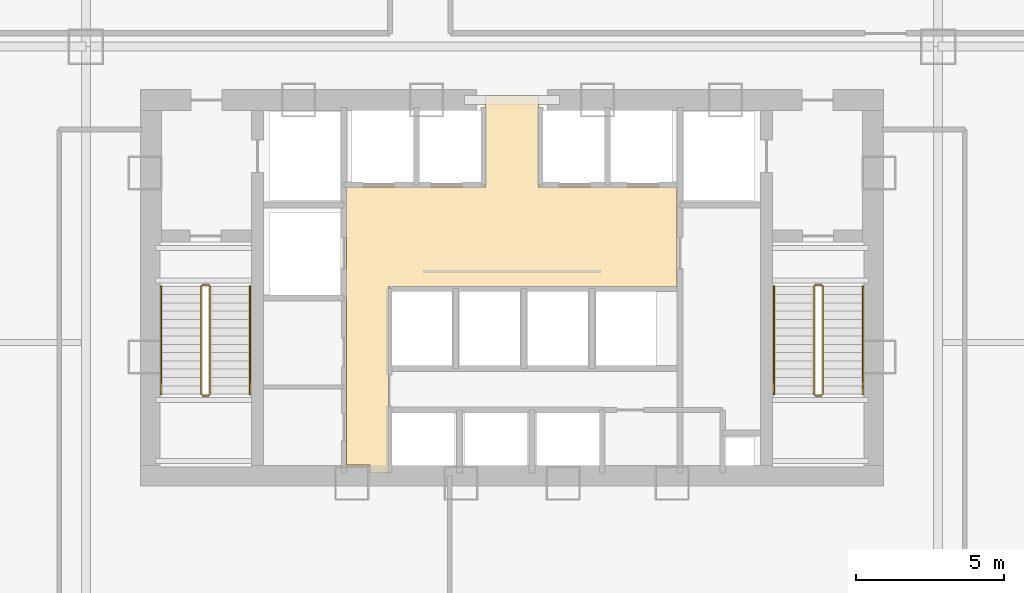
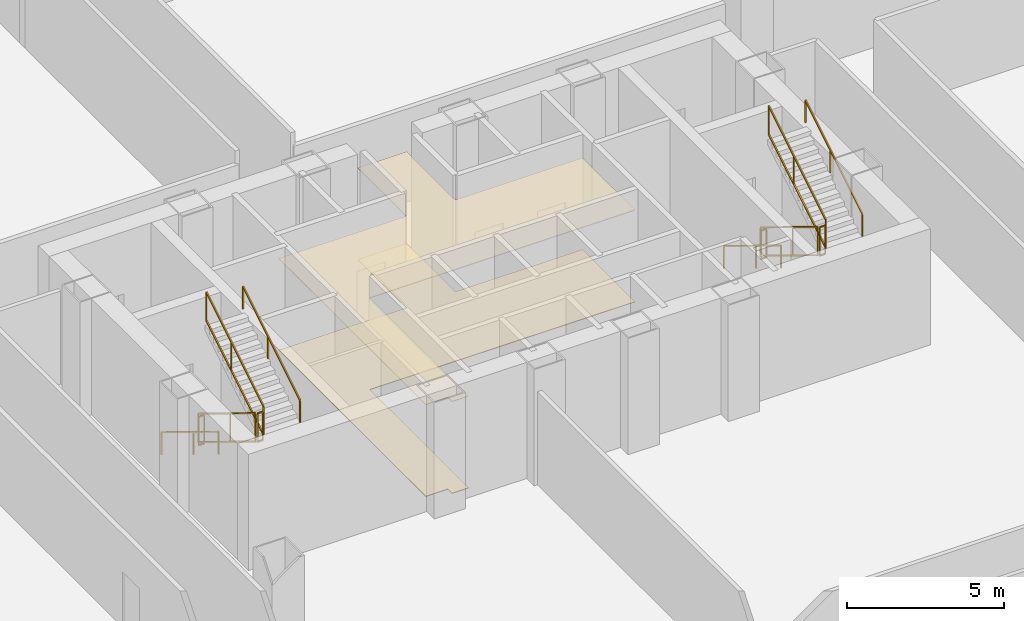
# One storey, part 24 of 27: 12 railings, 2 coverings.
"""IFC4 building model written with IfcOpenShell, lengths in metres."""

from ifc_helpers import new_model, si_unit, direction, frame, origin, origin_2d, place, context, subcontext, project, spatial, polyline, rectangle, outline, extrude, material, layer, layer_set, type_object, element, save


model = new_model("IFC4")

# Units and contexts
model_context = context("Model", 3, precision=1e-05, world=origin(), true_north=direction((0.0, 1.0)))
body_context = subcontext(model_context, "Body", "Model", "MODEL_VIEW")
ifc_project = project(units=[si_unit("LENGTHUNIT", "METRE"), si_unit("AREAUNIT", "SQUARE_METRE"), si_unit("VOLUMEUNIT", "CUBIC_METRE"), si_unit("PLANEANGLEUNIT", "RADIAN"), si_unit("MASSUNIT", "GRAM", prefix="KILO"), si_unit("THERMODYNAMICTEMPERATUREUNIT", "KELVIN"), si_unit("POWERUNIT", "WATT")], contexts=[model_context])

# Site, building, storey
site_placement = place(None, origin())
site = spatial("IfcSite", under=ifc_project, at=site_placement, CompositionType="ELEMENT")
building_placement = place(site_placement, origin())
building = spatial("IfcBuilding", under=site, at=building_placement, Name="Yunzhuo Pagoda Commons", CompositionType="ELEMENT")
storey_placement = place(building_placement, frame((0.0, 0.0, 9.60009765625)))
storey = spatial("IfcBuildingStorey", under=building, at=storey_placement, Name="L03", CompositionType="ELEMENT", Elevation=9.60009765625)

# Coverings
ifc_material_1 = material(Name="Mineral fibre acoustic ceiling board")
ifc_layer_1 = layer(ifc_material_1, 0.02490234375)
ifc_layer_set_1 = layer_set([ifc_layer_1], Name="Mineral fibre acoustic ceiling board")
covering_type_1 = type_object("IfcCoveringType", Name="COV-CL1 Ceiling 25", PredefinedType="CEILING", material=ifc_layer_set_1)
covering_1_placement = place(storey_placement, frame((0.0, 0.0, 3.56982421875)))
element("IfcCovering", 1, at=covering_1_placement, inside=storey, type_object=covering_type_1, Name="L03 lift lobby acoustic ceiling", PredefinedType="CEILING", context=body_context, shape_type="SweptSolid", body=[
    extrude(outline(polyline([(43.207763671875, 27.85009765625), (43.201904296875, 27.864013671875), (43.187744140625, 27.8701171875), (42.39990234375, 27.8701171875), (42.39990234375, 33.89990234375), (42.39990234375, 37.25), (47.10009765625, 37.25), (47.10009765625, 40.35009765625), (48.89990234375, 40.35009765625), (48.89990234375, 37.25), (53.580078125, 37.25), (53.580078125, 33.89990234375), (43.820068359375, 33.89990234375), (43.820068359375, 27.60009765625), (43.207763671875, 27.60009765625), (43.207763671875, 27.85009765625)])), origin(), (0.0, 0.0, 1.0), 0.025146484375),
])
ifc_material_2 = material(Name="Terrazzo stone lobby flooring", Category="masonry")
ifc_layer_2 = layer(ifc_material_2, 0.02392578125)
ifc_layer_set_2 = layer_set([ifc_layer_2], Name="Terrazzo stone lobby flooring")
covering_type_2 = type_object("IfcCoveringType", Name="COV-FL2 Flooring 24", PredefinedType="FLOORING", material=ifc_layer_set_2)
covering_2_placement = place(storey_placement, origin())
element("IfcCovering", 2, at=covering_2_placement, inside=storey, type_object=covering_type_2, Name="L03 lift lobby flooring", PredefinedType="FLOORING", context=body_context, shape_type="SweptSolid", body=[
    extrude(outline(polyline([(43.207763671875, 27.85009765625), (43.201904296875, 27.864013671875), (43.187744140625, 27.8701171875), (42.39990234375, 27.8701171875), (42.39990234375, 33.89990234375), (42.39990234375, 37.25), (47.10009765625, 37.25), (47.10009765625, 40.35009765625), (48.89990234375, 40.35009765625), (48.89990234375, 37.25), (53.580078125, 37.25), (53.580078125, 33.89990234375), (43.820068359375, 33.89990234375), (43.820068359375, 27.60009765625), (43.207763671875, 27.60009765625), (43.207763671875, 27.85009765625)])), origin(), (0.0, 0.0, 1.0), 0.02392578125),
])

# Railings
ifc_material_3 = material(Name="Anodized aluminium 6063-T6", Category="aluminium")
railing_type_1 = type_object("IfcRailingType", Name="GR-ST1 Stair Well Guardrail 1150", PredefinedType="GUARDRAIL", material=ifc_material_3)
railing_1_placement = place(storey_placement, frame((37.5, 33.89990234375, 0.17138671875)))
element("IfcRailing", 3, at=railing_1_placement, inside=storey, type_object=railing_type_1, Name="L03 ST1 stair guard 1", PredefinedType="GUARDRAIL", context=body_context, shape_type="SweptSolid", body=[
    extrude(rectangle(XDim=0.048095703125, YDim=0.048095703125, at=origin_2d()), frame((0.0, 0.0, 1.1259765625), z_axis=(0.0, -0.852850264322, 0.5221555579), x_axis=(1.0, 0.0, 0.0)), (0.0, 0.0, 1.0), 4.267822265625),
    extrude(rectangle(XDim=0.048095703125, YDim=0.048095703125, at=origin_2d()), frame((0.0, 0.0, 0.02392578125), z_axis=(0.0, -0.852850264322, 0.5221555579), x_axis=(1.0, 0.0, 0.0)), (0.0, 0.0, 1.0), 4.267822265625),
    extrude(rectangle(XDim=0.0419921875, YDim=0.0419921875, at=origin_2d()), origin(), (0.0, 0.0, 1.0), 1.101806640625),
    extrude(rectangle(XDim=0.0419921875, YDim=0.0419921875, at=origin_2d()), frame((0.0, -2.046875, 1.253173828125)), (0.0, 0.0, 1.0), 1.101806640625),
    extrude(rectangle(XDim=0.0419921875, YDim=0.0419921875, at=origin_2d()), frame((0.0, -3.639892578125, 2.228515625)), (0.0, 0.0, 1.0), 1.101806640625),
])
railing_2_placement = place(storey_placement, frame((37.550048828125, 30.2099609375, 2.39990234375)))
element("IfcRailing", 4, at=railing_2_placement, inside=storey, type_object=railing_type_1, Name="L03 ST1 stair guard 2", PredefinedType="GUARDRAIL", context=body_context, shape_type="SweptSolid", body=[
    extrude(rectangle(XDim=0.048095703125, YDim=0.048095703125, at=origin_2d()), frame((0.0, 0.0, 1.1259765625), z_axis=(1.0, 0.0, 0.0), x_axis=(0.0, 1.0, 0.0)), (0.0, 0.0, 1.0), 0.199951171875),
    extrude(rectangle(XDim=0.048095703125, YDim=0.048095703125, at=origin_2d()), frame((0.0, 0.0, 0.02392578125), z_axis=(1.0, 0.0, 0.0), x_axis=(0.0, 1.0, 0.0)), (0.0, 0.0, 1.0), 0.199951171875),
    extrude(rectangle(XDim=0.0419921875, YDim=0.0419921875, at=origin_2d()), origin(), (0.0, 0.0, 1.0), 1.101806640625),
    extrude(rectangle(XDim=0.0419921875, YDim=0.0419921875, at=origin_2d()), frame((0.199951171875, 0.0, 0.0)), (0.0, 0.0, 1.0), 1.101806640625),
])
railing_3_placement = place(storey_placement, frame((37.800048828125, 30.260009765625, 2.5712890625)))
element("IfcRailing", 5, at=railing_3_placement, inside=storey, type_object=railing_type_1, Name="L03 ST1 stair guard 3", PredefinedType="GUARDRAIL", context=body_context, shape_type="SweptSolid", body=[
    extrude(rectangle(XDim=0.048095703125, YDim=0.048095703125, at=origin_2d()), frame((0.0, 0.0, 1.1259765625), z_axis=(0.0, 0.852850264322, 0.5221555579), x_axis=(-1.0, 0.0, 0.0)), (0.0, 0.0, 1.0), 4.267822265625),
    extrude(rectangle(XDim=0.048095703125, YDim=0.048095703125, at=origin_2d()), frame((0.0, 0.0, 0.02392578125), z_axis=(0.0, 0.852850264322, 0.5221555579), x_axis=(-1.0, 0.0, 0.0)), (0.0, 0.0, 1.0), 4.267822265625),
    extrude(rectangle(XDim=0.0419921875, YDim=0.0419921875, at=origin_2d()), origin(), (0.0, 0.0, 1.0), 1.101806640625),
    extrude(rectangle(XDim=0.0419921875, YDim=0.0419921875, at=origin_2d()), frame((0.0, 2.046875, 1.253173828125)), (0.0, 0.0, 1.0), 1.101806640625),
    extrude(rectangle(XDim=0.0419921875, YDim=0.0419921875, at=origin_2d()), frame((0.0, 3.639892578125, 2.228515625)), (0.0, 0.0, 1.0), 1.101806640625),
])
railing_4_placement = place(storey_placement, frame((37.550048828125, 33.949951171875, 0.0)))
element("IfcRailing", 6, at=railing_4_placement, inside=storey, type_object=railing_type_1, Name="L03 ST1 stair guard 4", PredefinedType="GUARDRAIL", context=body_context, shape_type="SweptSolid", body=[
    extrude(rectangle(XDim=0.048095703125, YDim=0.048095703125, at=origin_2d()), frame((0.0, 0.0, 1.1259765625), z_axis=(1.0, 0.0, 0.0), x_axis=(0.0, 1.0, 0.0)), (0.0, 0.0, 1.0), 0.199951171875),
    extrude(rectangle(XDim=0.048095703125, YDim=0.048095703125, at=origin_2d()), frame((0.0, 0.0, 0.02392578125), z_axis=(1.0, 0.0, 0.0), x_axis=(0.0, 1.0, 0.0)), (0.0, 0.0, 1.0), 0.199951171875),
    extrude(rectangle(XDim=0.0419921875, YDim=0.0419921875, at=origin_2d()), origin(), (0.0, 0.0, 1.0), 1.101806640625),
    extrude(rectangle(XDim=0.0419921875, YDim=0.0419921875, at=origin_2d()), frame((0.199951171875, 0.0, 0.0)), (0.0, 0.0, 1.0), 1.101806640625),
])
railing_type_2 = type_object("IfcRailingType", Name="GR-ST2 Stair Well Guardrail 1160", PredefinedType="GUARDRAIL", material=ifc_material_3)
railing_5_placement = place(storey_placement, frame((58.199951171875, 33.89990234375, 0.17138671875)))
element("IfcRailing", 7, at=railing_5_placement, inside=storey, type_object=railing_type_2, Name="L03 ST2 stair guard 1", PredefinedType="GUARDRAIL", context=body_context, shape_type="SweptSolid", body=[
    extrude(rectangle(XDim=0.048095703125, YDim=0.048095703125, at=origin_2d()), frame((0.0, 0.0, 1.1259765625), z_axis=(0.0, -0.852850264322, 0.5221555579), x_axis=(1.0, 0.0, 0.0)), (0.0, 0.0, 1.0), 4.267822265625),
    extrude(rectangle(XDim=0.048095703125, YDim=0.048095703125, at=origin_2d()), frame((0.0, 0.0, 0.02392578125), z_axis=(0.0, -0.852850264322, 0.5221555579), x_axis=(1.0, 0.0, 0.0)), (0.0, 0.0, 1.0), 4.267822265625),
    extrude(rectangle(XDim=0.0419921875, YDim=0.0419921875, at=origin_2d()), origin(), (0.0, 0.0, 1.0), 1.101806640625),
    extrude(rectangle(XDim=0.0419921875, YDim=0.0419921875, at=origin_2d()), frame((0.0, -2.046875, 1.253173828125)), (0.0, 0.0, 1.0), 1.101806640625),
    extrude(rectangle(XDim=0.0419921875, YDim=0.0419921875, at=origin_2d()), frame((0.0, -3.639892578125, 2.228515625)), (0.0, 0.0, 1.0), 1.101806640625),
])
railing_6_placement = place(storey_placement, frame((58.25, 30.2099609375, 2.39990234375)))
element("IfcRailing", 8, at=railing_6_placement, inside=storey, type_object=railing_type_2, Name="L03 ST2 stair guard 2", PredefinedType="GUARDRAIL", context=body_context, shape_type="SweptSolid", body=[
    extrude(rectangle(XDim=0.048095703125, YDim=0.048095703125, at=origin_2d()), frame((0.0, 0.0, 1.1259765625), z_axis=(1.0, 0.0, 0.0), x_axis=(0.0, 1.0, 0.0)), (0.0, 0.0, 1.0), 0.199951171875),
    extrude(rectangle(XDim=0.048095703125, YDim=0.048095703125, at=origin_2d()), frame((0.0, 0.0, 0.02392578125), z_axis=(1.0, 0.0, 0.0), x_axis=(0.0, 1.0, 0.0)), (0.0, 0.0, 1.0), 0.199951171875),
    extrude(rectangle(XDim=0.0419921875, YDim=0.0419921875, at=origin_2d()), origin(), (0.0, 0.0, 1.0), 1.101806640625),
    extrude(rectangle(XDim=0.0419921875, YDim=0.0419921875, at=origin_2d()), frame((0.199951171875, 0.0, 0.0)), (0.0, 0.0, 1.0), 1.101806640625),
])
railing_7_placement = place(storey_placement, frame((58.5, 30.260009765625, 2.5712890625)))
element("IfcRailing", 9, at=railing_7_placement, inside=storey, type_object=railing_type_2, Name="L03 ST2 stair guard 3", PredefinedType="GUARDRAIL", context=body_context, shape_type="SweptSolid", body=[
    extrude(rectangle(XDim=0.048095703125, YDim=0.048095703125, at=origin_2d()), frame((0.0, 0.0, 1.1259765625), z_axis=(0.0, 0.852850264322, 0.5221555579), x_axis=(-1.0, 0.0, 0.0)), (0.0, 0.0, 1.0), 4.267822265625),
    extrude(rectangle(XDim=0.048095703125, YDim=0.048095703125, at=origin_2d()), frame((0.0, 0.0, 0.02392578125), z_axis=(0.0, 0.852850264322, 0.5221555579), x_axis=(-1.0, 0.0, 0.0)), (0.0, 0.0, 1.0), 4.267822265625),
    extrude(rectangle(XDim=0.0419921875, YDim=0.0419921875, at=origin_2d()), origin(), (0.0, 0.0, 1.0), 1.101806640625),
    extrude(rectangle(XDim=0.0419921875, YDim=0.0419921875, at=origin_2d()), frame((0.0, 2.046875, 1.253173828125)), (0.0, 0.0, 1.0), 1.101806640625),
    extrude(rectangle(XDim=0.0419921875, YDim=0.0419921875, at=origin_2d()), frame((0.0, 3.639892578125, 2.228515625)), (0.0, 0.0, 1.0), 1.101806640625),
])
railing_8_placement = place(storey_placement, frame((58.25, 33.949951171875, 0.0)))
element("IfcRailing", 10, at=railing_8_placement, inside=storey, type_object=railing_type_2, Name="L03 ST2 stair guard 4", PredefinedType="GUARDRAIL", context=body_context, shape_type="SweptSolid", body=[
    extrude(rectangle(XDim=0.048095703125, YDim=0.048095703125, at=origin_2d()), frame((0.0, 0.0, 1.1259765625), z_axis=(1.0, 0.0, 0.0), x_axis=(0.0, 1.0, 0.0)), (0.0, 0.0, 1.0), 0.199951171875),
    extrude(rectangle(XDim=0.048095703125, YDim=0.048095703125, at=origin_2d()), frame((0.0, 0.0, 0.02392578125), z_axis=(1.0, 0.0, 0.0), x_axis=(0.0, 1.0, 0.0)), (0.0, 0.0, 1.0), 0.199951171875),
    extrude(rectangle(XDim=0.0419921875, YDim=0.0419921875, at=origin_2d()), origin(), (0.0, 0.0, 1.0), 1.101806640625),
    extrude(rectangle(XDim=0.0419921875, YDim=0.0419921875, at=origin_2d()), frame((0.199951171875, 0.0, 0.0)), (0.0, 0.0, 1.0), 1.101806640625),
])
railing_type_3 = type_object("IfcRailingType", Name="HR-ST1 Stair Handrail 900", PredefinedType="HANDRAIL", material=ifc_material_3)
railing_9_placement = place(storey_placement, frame((36.14990234375, 33.89990234375, 0.17138671875)))
element("IfcRailing", 11, at=railing_9_placement, inside=storey, type_object=railing_type_3, Name="L03 ST1 stair handrail 1", PredefinedType="HANDRAIL", context=body_context, shape_type="SweptSolid", body=[
    extrude(rectangle(XDim=0.048095703125, YDim=0.048095703125, at=origin_2d()), frame((0.0, 0.0, 0.8759765625), z_axis=(0.0, -0.852850264322, 0.5221555579), x_axis=(1.0, 0.0, 0.0)), (0.0, 0.0, 1.0), 4.267822265625),
    extrude(rectangle(XDim=0.0419921875, YDim=0.0419921875, at=origin_2d()), origin(), (0.0, 0.0, 1.0), 0.851806640625),
    extrude(rectangle(XDim=0.0419921875, YDim=0.0419921875, at=origin_2d()), frame((0.0, -2.046875, 1.253173828125)), (0.0, 0.0, 1.0), 0.851806640625),
    extrude(rectangle(XDim=0.0419921875, YDim=0.0419921875, at=origin_2d()), frame((0.0, -3.639892578125, 2.228515625)), (0.0, 0.0, 1.0), 0.851806640625),
])
railing_10_placement = place(storey_placement, frame((39.14990234375, 30.260009765625, 2.5712890625)))
element("IfcRailing", 12, at=railing_10_placement, inside=storey, type_object=railing_type_3, Name="L03 ST1 stair handrail 2", PredefinedType="HANDRAIL", context=body_context, shape_type="SweptSolid", body=[
    extrude(rectangle(XDim=0.048095703125, YDim=0.048095703125, at=origin_2d()), frame((0.0, 0.0, 0.8759765625), z_axis=(0.0, 0.852850264322, 0.5221555579), x_axis=(-1.0, 0.0, 0.0)), (0.0, 0.0, 1.0), 4.267822265625),
    extrude(rectangle(XDim=0.0419921875, YDim=0.0419921875, at=origin_2d()), origin(), (0.0, 0.0, 1.0), 0.851806640625),
    extrude(rectangle(XDim=0.0419921875, YDim=0.0419921875, at=origin_2d()), frame((0.0, 2.046875, 1.253173828125)), (0.0, 0.0, 1.0), 0.851806640625),
    extrude(rectangle(XDim=0.0419921875, YDim=0.0419921875, at=origin_2d()), frame((0.0, 3.639892578125, 2.228515625)), (0.0, 0.0, 1.0), 0.851806640625),
])
railing_type_4 = type_object("IfcRailingType", Name="HR-ST2 Stair Handrail 900", PredefinedType="HANDRAIL", material=ifc_material_3)
railing_11_placement = place(storey_placement, frame((56.85009765625, 33.89990234375, 0.17138671875)))
element("IfcRailing", 13, at=railing_11_placement, inside=storey, type_object=railing_type_4, Name="L03 ST2 stair handrail 1", PredefinedType="HANDRAIL", context=body_context, shape_type="SweptSolid", body=[
    extrude(rectangle(XDim=0.048095703125, YDim=0.048095703125, at=origin_2d()), frame((0.0, 0.0, 0.8759765625), z_axis=(0.0, -0.852850264322, 0.5221555579), x_axis=(1.0, 0.0, 0.0)), (0.0, 0.0, 1.0), 4.267822265625),
    extrude(rectangle(XDim=0.0419921875, YDim=0.0419921875, at=origin_2d()), origin(), (0.0, 0.0, 1.0), 0.851806640625),
    extrude(rectangle(XDim=0.0419921875, YDim=0.0419921875, at=origin_2d()), frame((0.0, -2.046875, 1.253173828125)), (0.0, 0.0, 1.0), 0.851806640625),
    extrude(rectangle(XDim=0.0419921875, YDim=0.0419921875, at=origin_2d()), frame((0.0, -3.639892578125, 2.228515625)), (0.0, 0.0, 1.0), 0.851806640625),
])
railing_12_placement = place(storey_placement, frame((59.85009765625, 30.260009765625, 2.5712890625)))
element("IfcRailing", 14, at=railing_12_placement, inside=storey, type_object=railing_type_4, Name="L03 ST2 stair handrail 2", PredefinedType="HANDRAIL", context=body_context, shape_type="SweptSolid", body=[
    extrude(rectangle(XDim=0.048095703125, YDim=0.048095703125, at=origin_2d()), frame((0.0, 0.0, 0.8759765625), z_axis=(0.0, 0.852850264322, 0.5221555579), x_axis=(-1.0, 0.0, 0.0)), (0.0, 0.0, 1.0), 4.267822265625),
    extrude(rectangle(XDim=0.0419921875, YDim=0.0419921875, at=origin_2d()), origin(), (0.0, 0.0, 1.0), 0.851806640625),
    extrude(rectangle(XDim=0.0419921875, YDim=0.0419921875, at=origin_2d()), frame((0.0, 2.046875, 1.253173828125)), (0.0, 0.0, 1.0), 0.851806640625),
    extrude(rectangle(XDim=0.0419921875, YDim=0.0419921875, at=origin_2d()), frame((0.0, 3.639892578125, 2.228515625)), (0.0, 0.0, 1.0), 0.851806640625),
])

save(model, "model.ifc")
